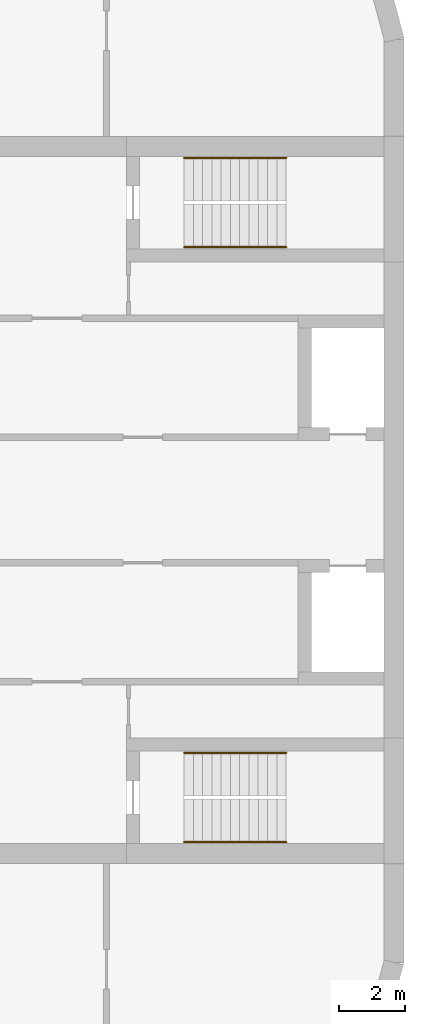
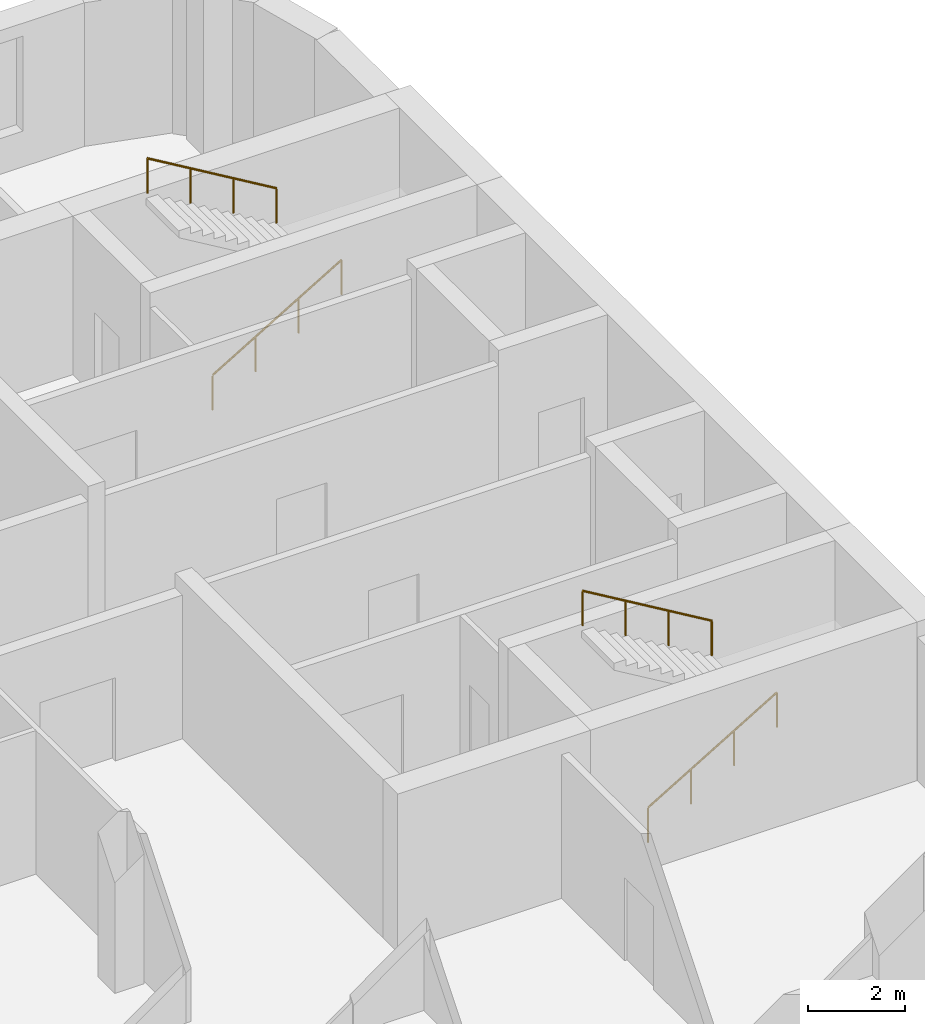
# One storey, part 12 of 12: 4 railings.
"""IFC4 building model written with IfcOpenShell, lengths in metres."""

from ifc_helpers import new_model, si_unit, direction, frame, origin, origin_2d, place, context, subcontext, project, spatial, circle, extrude, material, type_object, element, save


model = new_model("IFC4")

# Units and contexts
model_context = context("Model", 3, precision=1e-05, world=origin(), true_north=direction((0.0, 1.0)))
body_context = subcontext(model_context, "Body", "Model", "MODEL_VIEW")
ifc_project = project(units=[si_unit("LENGTHUNIT", "METRE"), si_unit("AREAUNIT", "SQUARE_METRE"), si_unit("VOLUMEUNIT", "CUBIC_METRE"), si_unit("PLANEANGLEUNIT", "RADIAN"), si_unit("MASSUNIT", "GRAM", prefix="KILO")], contexts=[model_context])

# Site, building, storey
site_placement = place(None, origin())
site = spatial("IfcSite", under=ifc_project, at=site_placement, CompositionType="ELEMENT")
building_placement = place(site_placement, origin())
building = spatial("IfcBuilding", under=site, at=building_placement, Name="Skarvind Civic Tower", CompositionType="ELEMENT")
storey_placement = place(building_placement, frame((0.0, 0.0, 71.5)))
storey = spatial("IfcBuildingStorey", under=building, at=storey_placement, Name="L16", CompositionType="ELEMENT", Elevation=71.5)

# Railings
ifc_material = material(Name="Painted steel handrail", Category="steel")
railing_type = type_object("IfcRailingType", Name="Stair handrail 900", PredefinedType="HANDRAIL", material=ifc_material)
railing_1_placement = place(storey_placement, frame((160.35009765625, 135.64990234375, 0.166748046875)))
element("IfcRailing", 1, at=railing_1_placement, inside=storey, type_object=railing_type, Name="Stair handrail", PredefinedType="HANDRAIL", context=body_context, shape_type="SweptSolid", body=[
    extrude(circle(Radius=0.02392578125, at=origin_2d()), frame((0.0, 0.0, 0.8759765625), z_axis=(0.859290745958, 0.0, 0.51148745235), x_axis=(0.0, 1.0, 0.0)), (0.0, 0.0, 1.0), 3.584228515625),
    extrude(circle(Radius=0.02099609375, at=origin_2d()), origin(), (0.0, 0.0, 1.0), 0.851806640625),
    extrude(circle(Radius=0.02099609375, at=origin_2d()), frame((1.026611328125, 0.0, 0.611083984375)), (0.0, 0.0, 1.0), 0.851806640625),
    extrude(circle(Radius=0.02099609375, at=origin_2d()), frame((2.05322265625, 0.0, 1.22216796875)), (0.0, 0.0, 1.0), 0.851806640625),
    extrude(circle(Radius=0.02099609375, at=origin_2d()), frame((3.079833984375, 0.0, 1.833251953125)), (0.0, 0.0, 1.0), 0.851806640625),
])
railing_2_placement = place(storey_placement, frame((163.429931640625, 138.35009765625, 2.166748046875)))
element("IfcRailing", 2, at=railing_2_placement, inside=storey, type_object=railing_type, Name="Stair handrail", PredefinedType="HANDRAIL", context=body_context, shape_type="SweptSolid", body=[
    extrude(circle(Radius=0.02392578125, at=origin_2d()), frame((0.0, 0.0, 0.8759765625), z_axis=(-0.859290745958, 0.0, 0.51148745235), x_axis=(0.0, -1.0, 0.0)), (0.0, 0.0, 1.0), 3.584228515625),
    extrude(circle(Radius=0.02099609375, at=origin_2d()), origin(), (0.0, 0.0, 1.0), 0.851806640625),
    extrude(circle(Radius=0.02099609375, at=origin_2d()), frame((-1.026611328125, 0.0, 0.611083984375)), (0.0, 0.0, 1.0), 0.851806640625),
    extrude(circle(Radius=0.02099609375, at=origin_2d()), frame((-2.05322265625, 0.0, 1.22216796875)), (0.0, 0.0, 1.0), 0.851806640625),
    extrude(circle(Radius=0.02099609375, at=origin_2d()), frame((-3.079833984375, 0.0, 1.833251953125)), (0.0, 0.0, 1.0), 0.851806640625),
])
railing_3_placement = place(storey_placement, frame((160.35009765625, 117.64990234375, 0.166748046875)))
element("IfcRailing", 3, at=railing_3_placement, inside=storey, type_object=railing_type, Name="Stair handrail", PredefinedType="HANDRAIL", context=body_context, shape_type="SweptSolid", body=[
    extrude(circle(Radius=0.02392578125, at=origin_2d()), frame((0.0, 0.0, 0.8759765625), z_axis=(0.859290745958, 0.0, 0.51148745235), x_axis=(0.0, 1.0, 0.0)), (0.0, 0.0, 1.0), 3.584228515625),
    extrude(circle(Radius=0.02099609375, at=origin_2d()), origin(), (0.0, 0.0, 1.0), 0.851806640625),
    extrude(circle(Radius=0.02099609375, at=origin_2d()), frame((1.026611328125, 0.0, 0.611083984375)), (0.0, 0.0, 1.0), 0.851806640625),
    extrude(circle(Radius=0.02099609375, at=origin_2d()), frame((2.05322265625, 0.0, 1.22216796875)), (0.0, 0.0, 1.0), 0.851806640625),
    extrude(circle(Radius=0.02099609375, at=origin_2d()), frame((3.079833984375, 0.0, 1.833251953125)), (0.0, 0.0, 1.0), 0.851806640625),
])
railing_4_placement = place(storey_placement, frame((163.429931640625, 120.35009765625, 2.166748046875)))
element("IfcRailing", 4, at=railing_4_placement, inside=storey, type_object=railing_type, Name="Stair handrail", PredefinedType="HANDRAIL", context=body_context, shape_type="SweptSolid", body=[
    extrude(circle(Radius=0.02392578125, at=origin_2d()), frame((0.0, 0.0, 0.8759765625), z_axis=(-0.859290745958, 0.0, 0.51148745235), x_axis=(0.0, -1.0, 0.0)), (0.0, 0.0, 1.0), 3.584228515625),
    extrude(circle(Radius=0.02099609375, at=origin_2d()), origin(), (0.0, 0.0, 1.0), 0.851806640625),
    extrude(circle(Radius=0.02099609375, at=origin_2d()), frame((-1.026611328125, 0.0, 0.611083984375)), (0.0, 0.0, 1.0), 0.851806640625),
    extrude(circle(Radius=0.02099609375, at=origin_2d()), frame((-2.05322265625, 0.0, 1.22216796875)), (0.0, 0.0, 1.0), 0.851806640625),
    extrude(circle(Radius=0.02099609375, at=origin_2d()), frame((-3.079833984375, 0.0, 1.833251953125)), (0.0, 0.0, 1.0), 0.851806640625),
])

save(model, "model.ifc")
